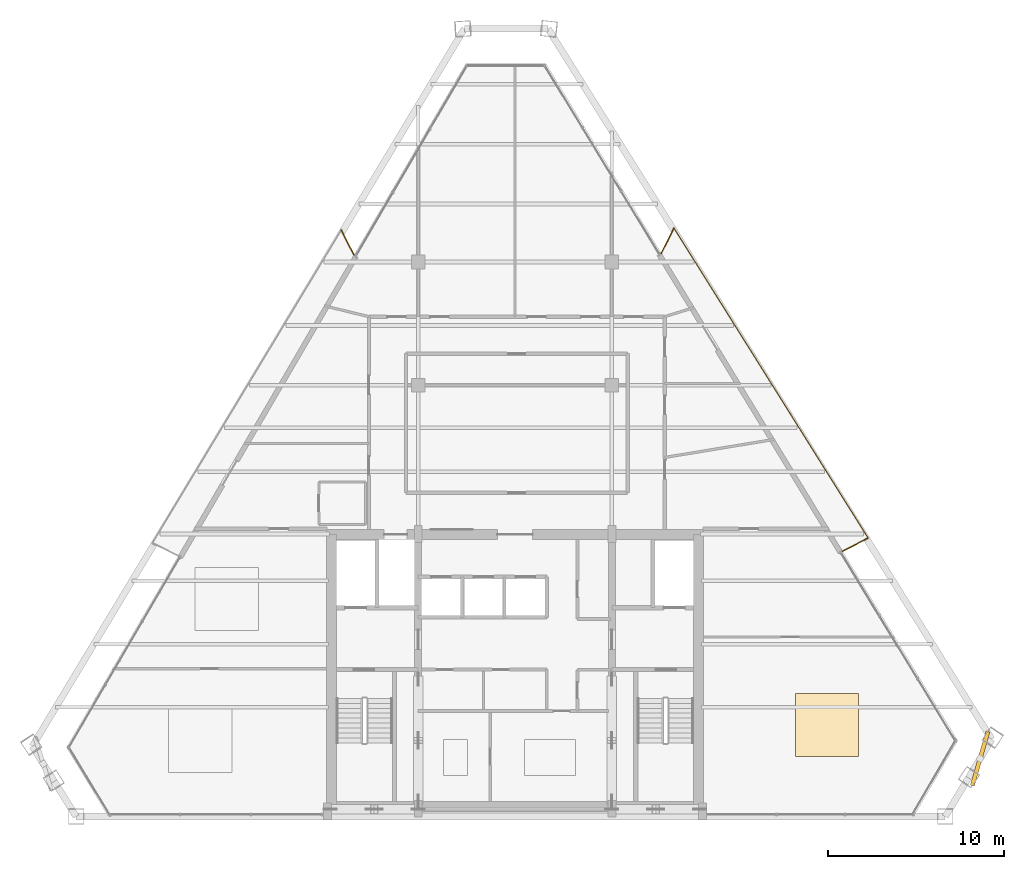
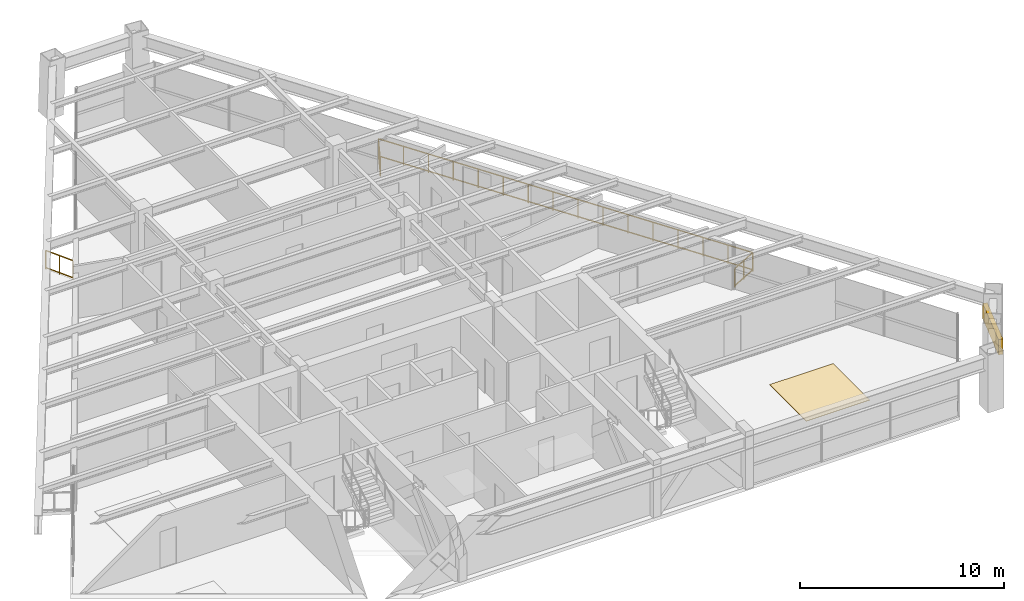
# One storey, part 13 of 13: 4 railings, 1 covering, 1 shading device.
"""IFC4 building model written with IfcOpenShell, lengths in metres."""

from ifc_helpers import new_model, si_unit, direction, frame, origin, origin_2d, place, context, subcontext, project, spatial, rectangle, extrude, source, transform, mapped, material, layer, layer_set, type_object, type_shapes, element, save


model = new_model("IFC4")

# Units and contexts
model_context = context("Model", 3, precision=1e-05, world=origin(), true_north=direction((0.0, 1.0)))
body_context = subcontext(model_context, "Body", "Model", "MODEL_VIEW")
ifc_project = project(units=[si_unit("LENGTHUNIT", "METRE"), si_unit("AREAUNIT", "SQUARE_METRE"), si_unit("VOLUMEUNIT", "CUBIC_METRE"), si_unit("PLANEANGLEUNIT", "RADIAN"), si_unit("MASSUNIT", "GRAM", prefix="KILO")], contexts=[model_context])

# Site, building, storey
site_placement = place(None, origin())
site = spatial("IfcSite", under=ifc_project, at=site_placement, CompositionType="ELEMENT")
building_placement = place(site_placement, origin())
building = spatial("IfcBuilding", under=site, at=building_placement, Name="Varnakhor Terracotta Tower", CompositionType="ELEMENT")
storey_placement = place(building_placement, frame((0.0, 0.0, 254.5)))
storey = spatial("IfcBuildingStorey", under=building, at=storey_placement, Name="L66", CompositionType="ELEMENT", Elevation=254.5)

# Railings
ifc_material_1 = material(Name="Stainless Steel & Laminated Glass Guardrail", Category="steel")
railing_type = type_object("IfcRailingType", Name="RLG-LOGGIA-GUARD-1150", PredefinedType="GUARDRAIL", material=ifc_material_1)
railing_1_placement = place(storey_placement, frame((8.311279296875, 32.005859375, 0.0)))
element("IfcRailing", 1, at=railing_1_placement, inside=storey, type_object=railing_type, Name="L66 E Loggia Glass Guard 1", PredefinedType="GUARDRAIL", context=body_context, shape_type="SweptSolid", body=[
    extrude(rectangle(XDim=0.048095703125, YDim=0.048095703125, at=origin_2d()), frame((0.0, 0.0, 1.1259765625), z_axis=(0.450090386867, 0.892983003002, 0.0), x_axis=(-0.892983003002, 0.450090386867, 0.0)), (0.0, 0.0, 1.0), 1.59423828125),
    extrude(rectangle(XDim=0.048095703125, YDim=0.048095703125, at=origin_2d()), frame((0.0, 0.0, 0.10009765625), z_axis=(0.450090386867, 0.892983003002, 0.0), x_axis=(-0.892983003002, 0.450090386867, 0.0)), (0.0, 0.0, 1.0), 1.59423828125),
    extrude(rectangle(XDim=0.0419921875, YDim=0.0419921875, at=origin_2d()), origin(), (0.0, 0.0, 1.0), 1.101806640625),
    extrude(rectangle(XDim=0.0419921875, YDim=0.0419921875, at=origin_2d()), frame((0.35888671875, 0.7119140625, 0.0)), (0.0, 0.0, 1.0), 1.101806640625),
    extrude(rectangle(XDim=0.0419921875, YDim=0.0419921875, at=origin_2d()), frame((0.717529296875, 1.423583984375, 0.0)), (0.0, 0.0, 1.0), 1.101806640625),
])
railing_2_placement = place(storey_placement, frame((9.02880859375, 33.429443359375, 0.0)))
element("IfcRailing", 2, at=railing_2_placement, inside=storey, type_object=railing_type, Name="L66 E Loggia Glass Guard 2", PredefinedType="GUARDRAIL", context=body_context, shape_type="SweptSolid", body=[
    extrude(rectangle(XDim=0.048095703125, YDim=0.048095703125, at=origin_2d()), frame((0.0, 0.0, 1.1259765625), z_axis=(0.530918510962, -0.847422878331, 0.0), x_axis=(0.847422878331, 0.530918510962, 0.0)), (0.0, 0.0, 1.0), 20.779052734375),
    extrude(rectangle(XDim=0.048095703125, YDim=0.048095703125, at=origin_2d()), frame((0.0, 0.0, 0.10009765625), z_axis=(0.530918510962, -0.847422878331, 0.0), x_axis=(0.847422878331, 0.530918510962, 0.0)), (0.0, 0.0, 1.0), 20.779052734375),
    extrude(rectangle(XDim=0.0419921875, YDim=0.0419921875, at=origin_2d()), origin(), (0.0, 0.0, 1.0), 1.101806640625),
    extrude(rectangle(XDim=0.0419921875, YDim=0.0419921875, at=origin_2d()), frame((0.7353515625, -1.173828125, 0.0)), (0.0, 0.0, 1.0), 1.101806640625),
    extrude(rectangle(XDim=0.0419921875, YDim=0.0419921875, at=origin_2d()), frame((1.470947265625, -2.347900390625, 0.0)), (0.0, 0.0, 1.0), 1.101806640625),
    extrude(rectangle(XDim=0.0419921875, YDim=0.0419921875, at=origin_2d()), frame((2.206298828125, -3.521728515625, 0.0)), (0.0, 0.0, 1.0), 1.101806640625),
    extrude(rectangle(XDim=0.0419921875, YDim=0.0419921875, at=origin_2d()), frame((2.94189453125, -4.695556640625, 0.0)), (0.0, 0.0, 1.0), 1.101806640625),
    extrude(rectangle(XDim=0.0419921875, YDim=0.0419921875, at=origin_2d()), frame((3.67724609375, -5.86962890625, 0.0)), (0.0, 0.0, 1.0), 1.101806640625),
    extrude(rectangle(XDim=0.0419921875, YDim=0.0419921875, at=origin_2d()), frame((4.412841796875, -7.04345703125, 0.0)), (0.0, 0.0, 1.0), 1.101806640625),
    extrude(rectangle(XDim=0.0419921875, YDim=0.0419921875, at=origin_2d()), frame((5.148193359375, -8.21728515625, 0.0)), (0.0, 0.0, 1.0), 1.101806640625),
    extrude(rectangle(XDim=0.0419921875, YDim=0.0419921875, at=origin_2d()), frame((5.8837890625, -9.391357421875, 0.0)), (0.0, 0.0, 1.0), 1.101806640625),
    extrude(rectangle(XDim=0.0419921875, YDim=0.0419921875, at=origin_2d()), frame((6.619140625, -10.565185546875, 0.0)), (0.0, 0.0, 1.0), 1.101806640625),
    extrude(rectangle(XDim=0.0419921875, YDim=0.0419921875, at=origin_2d()), frame((7.354736328125, -11.739013671875, 0.0)), (0.0, 0.0, 1.0), 1.101806640625),
    extrude(rectangle(XDim=0.0419921875, YDim=0.0419921875, at=origin_2d()), frame((8.090087890625, -12.9130859375, 0.0)), (0.0, 0.0, 1.0), 1.101806640625),
    extrude(rectangle(XDim=0.0419921875, YDim=0.0419921875, at=origin_2d()), frame((8.82568359375, -14.0869140625, 0.0)), (0.0, 0.0, 1.0), 1.101806640625),
    extrude(rectangle(XDim=0.0419921875, YDim=0.0419921875, at=origin_2d()), frame((9.56103515625, -15.2607421875, 0.0)), (0.0, 0.0, 1.0), 1.101806640625),
    extrude(rectangle(XDim=0.0419921875, YDim=0.0419921875, at=origin_2d()), frame((10.296630859375, -16.434814453125, 0.0)), (0.0, 0.0, 1.0), 1.101806640625),
    extrude(rectangle(XDim=0.0419921875, YDim=0.0419921875, at=origin_2d()), frame((11.031982421875, -17.608642578125, 0.0)), (0.0, 0.0, 1.0), 1.101806640625),
])
railing_3_placement = place(storey_placement, frame((20.060791015625, 15.82080078125, 0.0)))
element("IfcRailing", 3, at=railing_3_placement, inside=storey, type_object=railing_type, Name="L66 E Loggia Glass Guard 3", PredefinedType="GUARDRAIL", context=body_context, shape_type="SweptSolid", body=[
    extrude(rectangle(XDim=0.048095703125, YDim=0.048095703125, at=origin_2d()), frame((0.0, 0.0, 1.1259765625), z_axis=(-0.890108485551, -0.45574870702, 0.0), x_axis=(0.45574870702, -0.890108485551, 0.0)), (0.0, 0.0, 1.0), 1.63232421875),
    extrude(rectangle(XDim=0.048095703125, YDim=0.048095703125, at=origin_2d()), frame((0.0, 0.0, 0.10009765625), z_axis=(-0.890108485551, -0.45574870702, 0.0), x_axis=(0.45574870702, -0.890108485551, 0.0)), (0.0, 0.0, 1.0), 1.63232421875),
    extrude(rectangle(XDim=0.0419921875, YDim=0.0419921875, at=origin_2d()), origin(), (0.0, 0.0, 1.0), 1.101806640625),
    extrude(rectangle(XDim=0.0419921875, YDim=0.0419921875, at=origin_2d()), frame((-0.7265625, -0.3720703125, 0.0)), (0.0, 0.0, 1.0), 1.101806640625),
    extrude(rectangle(XDim=0.0419921875, YDim=0.0419921875, at=origin_2d()), frame((-1.452880859375, -0.743896484375, 0.0)), (0.0, 0.0, 1.0), 1.101806640625),
])
railing_4_placement = place(storey_placement, frame((-9.8740234375, 33.318359375, 0.0)))
element("IfcRailing", 4, at=railing_4_placement, inside=storey, type_object=railing_type, Name="L66 W Loggia Glass Guard 3", PredefinedType="GUARDRAIL", context=body_context, shape_type="SweptSolid", body=[
    extrude(rectangle(XDim=0.048095703125, YDim=0.048095703125, at=origin_2d()), frame((0.0, 0.0, 1.1259765625), z_axis=(0.453461519517, -0.891275855343, 0.0), x_axis=(0.891275855343, 0.453461519517, 0.0)), (0.0, 0.0, 1.0), 1.591552734375),
    extrude(rectangle(XDim=0.048095703125, YDim=0.048095703125, at=origin_2d()), frame((0.0, 0.0, 0.10009765625), z_axis=(0.453461519517, -0.891275855343, 0.0), x_axis=(0.891275855343, 0.453461519517, 0.0)), (0.0, 0.0, 1.0), 1.591552734375),
    extrude(rectangle(XDim=0.0419921875, YDim=0.0419921875, at=origin_2d()), origin(), (0.0, 0.0, 1.0), 1.101806640625),
    extrude(rectangle(XDim=0.0419921875, YDim=0.0419921875, at=origin_2d()), frame((0.36083984375, -0.709228515625, 0.0)), (0.0, 0.0, 1.0), 1.101806640625),
    extrude(rectangle(XDim=0.0419921875, YDim=0.0419921875, at=origin_2d()), frame((0.7216796875, -1.41845703125, 0.0)), (0.0, 0.0, 1.0), 1.101806640625),
])

# Shading device
ifc_material_2 = material(Name="Extruded Architectural Terracotta Screen", Category="masonry")
shading_device_type = type_object("IfcShadingDeviceType", Name="TERRACOTTA SOLAR SCREEN E", PredefinedType="USERDEFINED", material=ifc_material_2)
shared_shape_1 = source(origin(), body_context, "Body", "SweptSolid", [
    extrude(rectangle(XDim=3.199951171875, YDim=0.239990234375, at=origin_2d()), origin(), (0.0, 0.0, 1.0), 0.919921875),
])
type_shapes(shading_device_type, [shared_shape_1])
shading_device_placement = place(storey_placement, frame((26.4228515625, 3.2939453125, 1.471923828125), z_axis=(0.0, 0.0, 1.0), x_axis=(0.27657674618, 0.960991833198, 0.0)))
element("IfcShadingDevice", 5, at=shading_device_placement, inside=storey, type_object=shading_device_type, Name="L66 E Terracotta Solar Screen", ObjectType="SCREEN", PredefinedType="USERDEFINED", context=body_context, shape_type="MappedRepresentation", body=[
    mapped(shared_shape_1, transform((0.0, 0.0, 0.0), scale=1.0)),
])

# Covering
ifc_material_3 = material(Name="Honed Riyadh Limestone Flooring", Category="masonry")
ifc_layer = layer(ifc_material_3, 0.030029296875, Name="Honed Riyadh Limestone Flooring")
ifc_layer_set = layer_set([ifc_layer], Name="Honed Riyadh Limestone Flooring")
covering_type = type_object("IfcCoveringType", Name="COV-FLOOR-LIMESTONE", PredefinedType="FLOORING", material=ifc_layer_set)
shared_shape_2 = source(origin(), body_context, "Body", "SweptSolid", [
    extrude(rectangle(XDim=3.60009765625, YDim=3.60009765625, at=origin_2d()), origin(), (0.0, 0.0, 1.0), 0.02001953125),
])
covering_placement = place(storey_placement, frame((17.72412109375, 5.2041015625, 0.0), z_axis=(0.0, 0.0, 1.0), x_axis=(1.0, 0.0, 0.0)))
element("IfcCovering", 6, at=covering_placement, inside=storey, type_object=covering_type, Name="L66 Honed Stone Flooring 4", PredefinedType="FLOORING", context=body_context, shape_type="MappedRepresentation", body=[
    mapped(shared_shape_2, transform((0.0, 0.0, 0.0), scale=1.0)),
])

save(model, "model.ifc")
